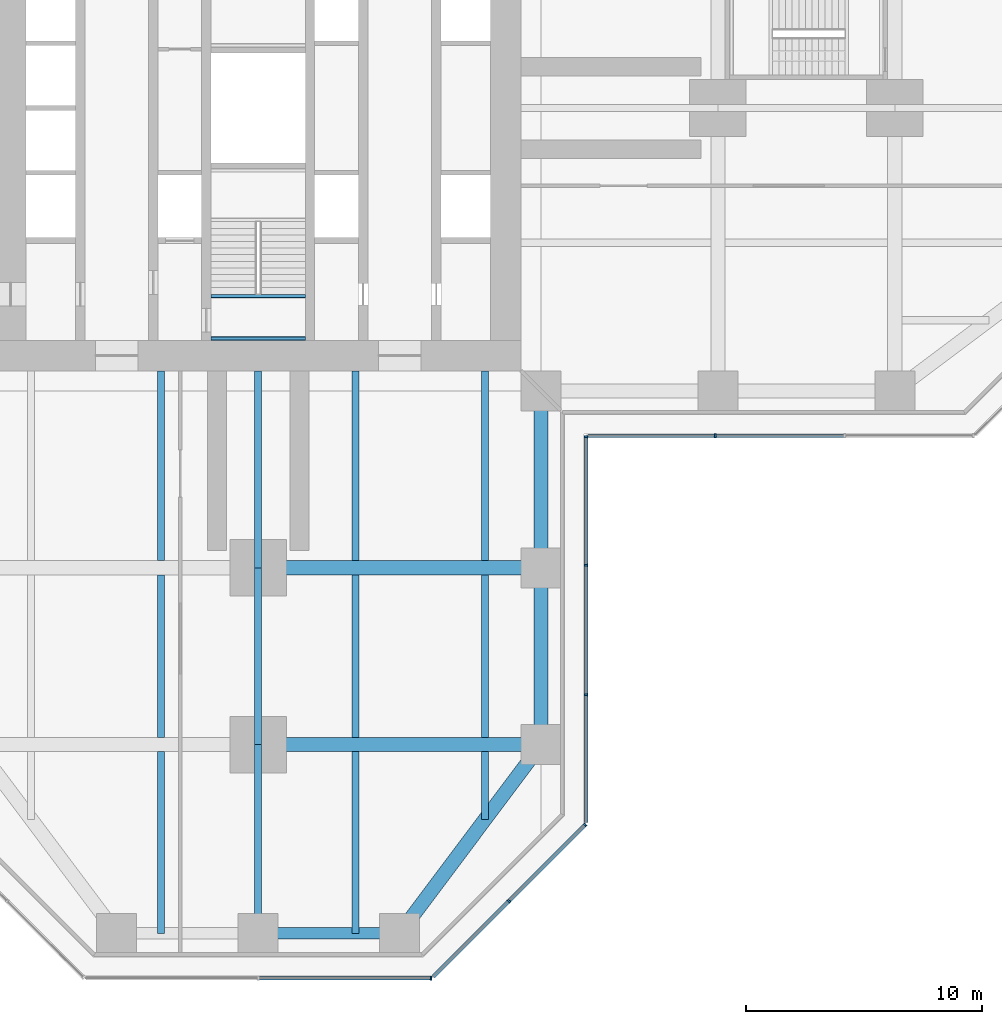
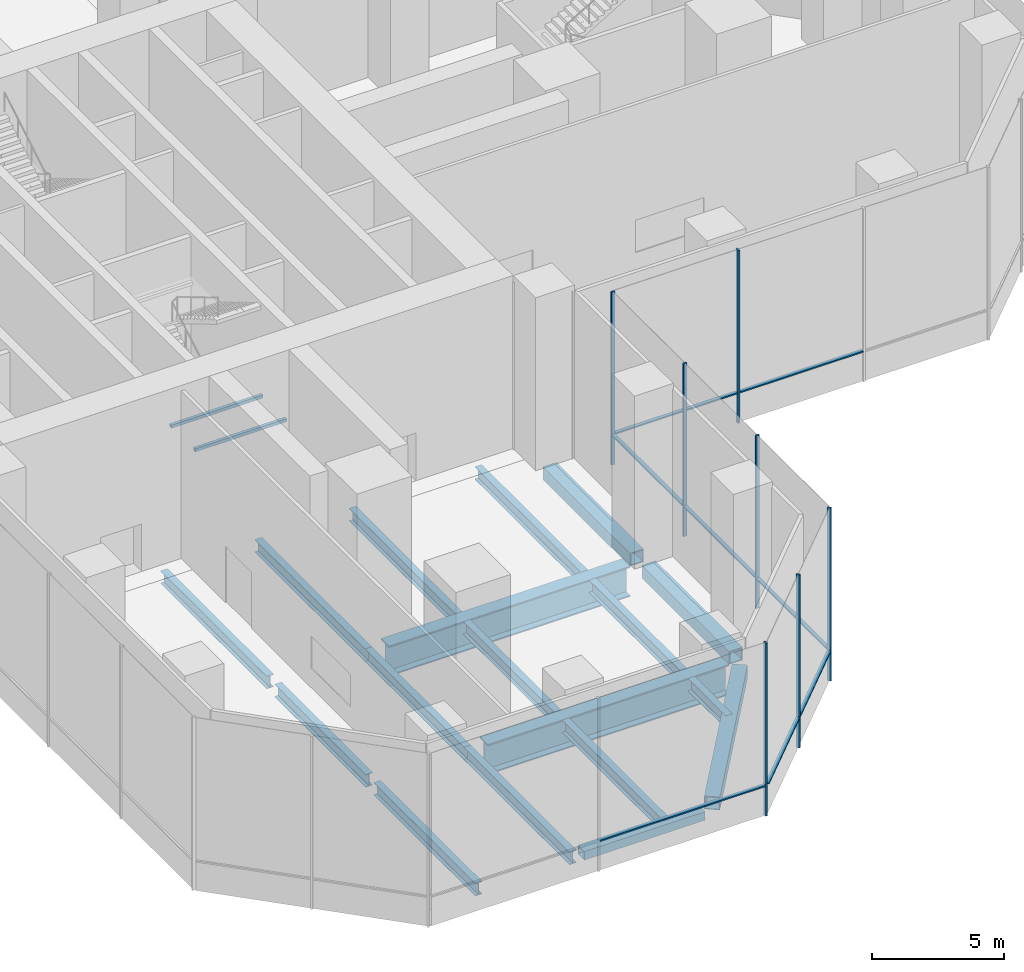
# One storey, part 5 of 25: 20 beams, 15 members, 4 elements without a shape of their own.
"""IFC4 building model written with IfcOpenShell, lengths in metres."""

from ifc_helpers import new_model, si_unit, direction, frame, origin, origin_2d, place, context, subcontext, project, spatial, rectangle, hollow_rectangle, i_section, extrude, material, material_profile, profile_set, type_object, element, aggregate, save


model = new_model("IFC4")

# Units and contexts
model_context = context("Model", 3, precision=1e-05, world=origin(), true_north=direction((0.0, 1.0)))
body_context = subcontext(model_context, "Body", "Model", "MODEL_VIEW")
ifc_project = project(units=[si_unit("LENGTHUNIT", "METRE"), si_unit("AREAUNIT", "SQUARE_METRE"), si_unit("VOLUMEUNIT", "CUBIC_METRE"), si_unit("PLANEANGLEUNIT", "RADIAN"), si_unit("MASSUNIT", "GRAM", prefix="KILO")], contexts=[model_context])

# Site, building, storey
site_placement = place(None, origin())
site = spatial("IfcSite", under=ifc_project, at=site_placement, CompositionType="ELEMENT")
building_placement = place(site_placement, origin())
building = spatial("IfcBuilding", under=site, at=building_placement, Name="Mizan Broadcast Tower", CompositionType="ELEMENT")
storey_placement = place(building_placement, frame((0.0, 0.0, 7.0)))
storey = spatial("IfcBuildingStorey", under=building, at=storey_placement, Name="L01", CompositionType="ELEMENT", Elevation=7.0)

# Beams
ifc_material_1 = material(Name="Steel S355", Category="steel")
ifc_material_profile_1 = material_profile(ifc_material_1, hollow_rectangle(XDim=0.5, YDim=0.39990234375, WallThickness=0.02490234375, at=origin_2d()), Name="BOX 400x500x25")
ifc_profile_set_1 = profile_set([ifc_material_profile_1], Name="Steel S355")
beam_type_1 = type_object("IfcBeamType", Name="EDGE BEAM BOX 400x500x25", PredefinedType="SPANDREL", material=ifc_profile_set_1)
beam_1_placement = place(storey_placement, frame((5.639892578125, -35.0, -0.449951171875), z_axis=(-1.0, 0.0, 0.0), x_axis=(0.0, -1.0, 0.0)))
element("IfcBeam", 1, at=beam_1_placement, inside=storey, type_object=beam_type_1, Name="Edge beam BOX 400x500x25 L01 south arm", PredefinedType="SPANDREL", context=body_context, shape_type="SweptSolid", body=[
    extrude(hollow_rectangle(XDim=0.5, YDim=0.39990234375, WallThickness=0.02490234375, at=origin_2d()), origin(), (0.0, 0.0, 1.0), 5.27978515625),
])
ifc_material_2 = material(Name="Steel S355", Category="steel")
ifc_material_profile_2 = material_profile(ifc_material_2, hollow_rectangle(XDim=0.60009765625, YDim=0.60009765625, WallThickness=0.030029296875, at=origin_2d()), Name="BOX 600x600x30")
ifc_profile_set_2 = profile_set([ifc_material_profile_2], Name="Steel S355")
beam_type_2 = type_object("IfcBeamType", Name="EDGE BEAM BOX 600x600x30", PredefinedType="SPANDREL", material=ifc_profile_set_2)
beam_2_placement = place(storey_placement, frame((11.639892578125, -27.47998046875, -0.550048828125), z_axis=(-0.599982243973, -0.800013316712, 0.0), x_axis=(0.800013316712, -0.599982243973, 0.0)))
element("IfcBeam", 2, at=beam_2_placement, inside=storey, type_object=beam_type_2, Name="Edge beam BOX 600x600x30 L01 south arm", PredefinedType="SPANDREL", context=body_context, shape_type="SweptSolid", body=[
    extrude(hollow_rectangle(XDim=0.60009765625, YDim=0.60009765625, WallThickness=0.030029296875, at=origin_2d()), origin(), (0.0, 0.0, 1.0), 8.7998046875),
])
ifc_material_3 = material(Name="Steel S355", Category="steel")
ifc_material_profile_3 = material_profile(ifc_material_3, hollow_rectangle(XDim=0.60009765625, YDim=0.60009765625, WallThickness=0.0400390625, at=origin_2d()), Name="BOX 600x600x40")
ifc_profile_set_3 = profile_set([ifc_material_profile_3], Name="Steel S355")
beam_type_3 = type_object("IfcBeamType", Name="EDGE BEAM BOX 600x600x40", PredefinedType="SPANDREL", material=ifc_profile_set_3)
for number, where, z_axis, x_axis, name in (
    (3, (12.0, -12.449951171875, -0.550048828125), (0.0, -1.0, 0.0), (1.0, 0.0, 0.0), "Edge beam BOX 600x600x40 L01 south arm"),
    (4, (12.0, -19.949951171875, -0.550048828125), (0.0, -1.0, 0.0), (1.0, 0.0, 0.0), "Edge beam BOX 600x600x40 L01 south arm"),
):
    element("IfcBeam", number, at=place(storey_placement, frame(where, z_axis=z_axis, x_axis=x_axis)), inside=storey, type_object=beam_type_3, Name=name, PredefinedType="SPANDREL", context=body_context, shape_type="SweptSolid", body=[
        extrude(hollow_rectangle(XDim=0.60009765625, YDim=0.60009765625, WallThickness=0.0400390625, at=origin_2d()), origin(), (0.0, 0.0, 1.0), 6.60009765625),
    ])
ifc_material_4 = material(Name="Steel S460", Category="steel")
ifc_material_profile_4 = material_profile(ifc_material_4, i_section(OverallWidth=0.60009765625, OverallDepth=1.39990234375, WebThickness=0.02490234375, FlangeThickness=0.06005859375, at=origin_2d()), Name="WPG 1400x600")
ifc_profile_set_4 = profile_set([ifc_material_profile_4], Name="Steel S460")
beam_type_4 = type_object("IfcBeamType", Name="GIRDER WPG 1400x600", PredefinedType="BEAM", material=ifc_profile_set_4)
for number, where, z_axis, x_axis, name in (
    (5, (0.719970703125, -19.5, -0.949951171875), (1.0, 0.0, 0.0), (0.0, 1.0, 0.0), "Girder WPG 1400x600 L01 south arm"),
    (6, (0.719970703125, -27.0, -0.949951171875), (1.0, 0.0, 0.0), (0.0, 1.0, 0.0), "Girder WPG 1400x600 L01 south arm"),
):
    element("IfcBeam", number, at=place(storey_placement, frame(where, z_axis=z_axis, x_axis=x_axis)), inside=storey, type_object=beam_type_4, Name=name, PredefinedType="BEAM", context=body_context, shape_type="SweptSolid", body=[
        extrude(i_section(OverallWidth=0.60009765625, OverallDepth=1.39990234375, WebThickness=0.02490234375, FlangeThickness=0.06005859375, at=origin_2d()), origin(), (0.0, 0.0, 1.0), 10.56005859375),
    ])
ifc_material_5 = material(Name="Steel S355", Category="steel")
ifc_material_profile_5 = material_profile(ifc_material_5, hollow_rectangle(XDim=0.14990234375, YDim=0.14990234375, WallThickness=0.008056640625, InnerFilletRadius=0.008056640625, OuterFilletRadius=0.011962890625, at=origin_2d()), Name="SHS 150x150x8")
ifc_profile_set_5 = profile_set([ifc_material_profile_5], Name="Steel S355")
beam_type_5 = type_object("IfcBeamType", Name="LANDING TRIMMER SHS 150x150x8", PredefinedType="BEAM", material=ifc_profile_set_5)
for number, where, z_axis, x_axis, name in (
    (7, (-2.0, -9.77490234375, 3.72509765625), (1.0, 0.0, 0.0), (0.0, 1.0, 0.0), "Stair A landing trimmer L01"),
    (8, (-2.0, -7.97509765625, 3.72509765625), (1.0, 0.0, 0.0), (0.0, 1.0, 0.0), "Stair A landing trimmer L01"),
):
    element("IfcBeam", number, at=place(storey_placement, frame(where, z_axis=z_axis, x_axis=x_axis)), inside=storey, type_object=beam_type_5, Name=name, PredefinedType="BEAM", context=body_context, shape_type="SweptSolid", body=[
        extrude(hollow_rectangle(XDim=0.14990234375, YDim=0.14990234375, WallThickness=0.008056640625, InnerFilletRadius=0.008056640625, OuterFilletRadius=0.011962890625, at=origin_2d()), origin(), (0.0, 0.0, 1.0), 4.0),
    ])

# Curtain wall, member
ifc_material_6 = material(Name="Aluminium framed glazing", Category="aluminium")
curtain_wall_type = type_object("IfcCurtainWallType", Name="OUTER SKIN", PredefinedType="USERDEFINED", material=ifc_material_6)
curtain_wall_1_placement = place(storey_placement, origin())
curtain_wall_1 = element("IfcCurtainWall", 9, at=curtain_wall_1_placement, inside=storey, type_object=curtain_wall_type, Name="Outer skin L01 E side", ObjectType="OUTER SKIN", PredefinedType="USERDEFINED")
ifc_material_7 = material(Name="Aluminium, pale anodised", Category="aluminium")
ifc_material_profile_6 = material_profile(ifc_material_7, rectangle(XDim=0.159912109375, YDim=0.080078125, at=origin_2d()), Name="MULLION 160x80")
ifc_profile_set_6 = profile_set([ifc_material_profile_6], Name="Aluminium, pale anodised")
member_type_1 = type_object("IfcMemberType", Name="OUTER SKIN MULLION 80x160", PredefinedType="MULLION", material=ifc_profile_set_6)
member_1_placement = place(storey_placement, frame((19.390869140625, -13.89990234375, 0.0), z_axis=(0.0, 0.0, 1.0), x_axis=(0.0, 1.0, 0.0)))
member_1 = element("IfcMember", 10, at=member_1_placement, type_object=member_type_1, Name="Outer skin L01 E side mullion 2", PredefinedType="MULLION", context=body_context, shape_type="SweptSolid", body=[
    extrude(rectangle(XDim=0.159912109375, YDim=0.080078125, at=origin_2d()), origin(), (0.0, 0.0, 1.0), 8.0),
])

curtain_wall_2_placement = place(storey_placement, origin())
curtain_wall_2 = element("IfcCurtainWall", 11, at=curtain_wall_2_placement, inside=storey, type_object=curtain_wall_type, Name="Outer skin L01 S end", ObjectType="OUTER SKIN", PredefinedType="USERDEFINED")
member_2_placement = place(storey_placement, frame((7.332763671875, -36.89990234375, 0.0), z_axis=(0.0, 0.0, 1.0), x_axis=(0.0, 1.0, 0.0)))
member_2 = element("IfcMember", 12, at=member_2_placement, type_object=member_type_1, Name="Outer skin L01 S end mullion 3", PredefinedType="MULLION", context=body_context, shape_type="SweptSolid", body=[
    extrude(rectangle(XDim=0.159912109375, YDim=0.080078125, at=origin_2d()), origin(), (0.0, 0.0, 1.0), 8.0),
])

# Curtain wall, members
curtain_wall_3_placement = place(storey_placement, origin())
curtain_wall_3 = element("IfcCurtainWall", 13, at=curtain_wall_3_placement, inside=storey, type_object=curtain_wall_type, Name="Outer skin L01 S chamfer", ObjectType="OUTER SKIN", PredefinedType="USERDEFINED")
member_3_placement = place(storey_placement, frame((10.636474609375, -33.636474609375, 0.0), z_axis=(0.0, 0.0, 1.0), x_axis=(-0.707106781187, 0.707106781187, 0.0)))
member_3 = element("IfcMember", 14, at=member_3_placement, type_object=member_type_1, Name="Outer skin L01 S chamfer mullion 2", PredefinedType="MULLION", context=body_context, shape_type="SweptSolid", body=[
    extrude(rectangle(XDim=0.159912109375, YDim=0.080078125, at=origin_2d()), origin(), (0.0, 0.0, 1.0), 8.0),
])
member_4_placement = place(storey_placement, frame((13.871826171875, -30.401123046875, 0.0), z_axis=(0.0, 0.0, 1.0), x_axis=(-0.707106781187, 0.707106781187, 0.0)))
member_4 = element("IfcMember", 15, at=member_4_placement, type_object=member_type_1, Name="Outer skin L01 S chamfer mullion 3", PredefinedType="MULLION", context=body_context, shape_type="SweptSolid", body=[
    extrude(rectangle(XDim=0.159912109375, YDim=0.080078125, at=origin_2d()), origin(), (0.0, 0.0, 1.0), 8.0),
])

curtain_wall_4_placement = place(storey_placement, origin())
curtain_wall_4 = element("IfcCurtainWall", 16, at=curtain_wall_4_placement, inside=storey, type_object=curtain_wall_type, Name="Outer skin L01 S side", ObjectType="OUTER SKIN", PredefinedType="USERDEFINED")
member_5_placement = place(storey_placement, frame((13.89990234375, -24.8818359375, 0.0), z_axis=(0.0, 0.0, 1.0), x_axis=(-1.0, 0.0, 0.0)))
member_5 = element("IfcMember", 17, at=member_5_placement, type_object=member_type_1, Name="Outer skin L01 S side mullion 2", PredefinedType="MULLION", context=body_context, shape_type="SweptSolid", body=[
    extrude(rectangle(XDim=0.159912109375, YDim=0.080078125, at=origin_2d()), origin(), (0.0, 0.0, 1.0), 8.0),
])
member_6_placement = place(storey_placement, frame((13.89990234375, -19.390869140625, 0.0), z_axis=(0.0, 0.0, 1.0), x_axis=(-1.0, 0.0, 0.0)))
member_6 = element("IfcMember", 18, at=member_6_placement, type_object=member_type_1, Name="Outer skin L01 S side mullion 3", PredefinedType="MULLION", context=body_context, shape_type="SweptSolid", body=[
    extrude(rectangle(XDim=0.159912109375, YDim=0.080078125, at=origin_2d()), origin(), (0.0, 0.0, 1.0), 8.0),
])
member_7_placement = place(storey_placement, frame((13.89990234375, -13.93994140625, 0.0), z_axis=(0.0, 0.0, 1.0), x_axis=(-1.0, 0.0, 0.0)))
member_7 = element("IfcMember", 19, at=member_7_placement, type_object=member_type_1, Name="Outer skin L01 S side mullion 4", PredefinedType="MULLION", context=body_context, shape_type="SweptSolid", body=[
    extrude(rectangle(XDim=0.159912109375, YDim=0.080078125, at=origin_2d()), origin(), (0.0, 0.0, 1.0), 8.0),
])

# Member
ifc_material_8 = material(Name="Aluminium, pale anodised", Category="aluminium")
ifc_material_profile_7 = material_profile(ifc_material_8, rectangle(XDim=0.159912109375, YDim=0.06005859375, at=origin_2d()), Name="TRANSOM 160x60")
ifc_profile_set_7 = profile_set([ifc_material_profile_7], Name="Aluminium, pale anodised")
member_type_2 = type_object("IfcMemberType", Name="OUTER SKIN TRANSOM 60x160", PredefinedType="USERDEFINED", material=ifc_profile_set_7)
member_8_placement = place(storey_placement, frame((13.97998046875, -13.89990234375, 1.39990234375), z_axis=(1.0, 0.0, 0.0), x_axis=(0.0, 1.0, 0.0)))
member_8 = element("IfcMember", 20, at=member_8_placement, type_object=member_type_2, Name="Outer skin L01 E side transom 1.1", ObjectType="TRANSOM", PredefinedType="USERDEFINED", context=body_context, shape_type="SweptSolid", body=[
    extrude(rectangle(XDim=0.159912109375, YDim=0.06005859375, at=origin_2d()), origin(), (0.0, 0.0, 1.0), 5.370849609375),
])

member_9_placement = place(storey_placement, frame((19.430908203125, -13.89990234375, 1.39990234375), z_axis=(1.0, 0.0, 0.0), x_axis=(0.0, 1.0, 0.0)))
member_9 = element("IfcMember", 21, at=member_9_placement, type_object=member_type_2, Name="Outer skin L01 E side transom 2.1", ObjectType="TRANSOM", PredefinedType="USERDEFINED", context=body_context, shape_type="SweptSolid", body=[
    extrude(rectangle(XDim=0.159912109375, YDim=0.06005859375, at=origin_2d()), origin(), (0.0, 0.0, 1.0), 5.410888671875),
])

aggregate(curtain_wall_1, [member_1, member_8, member_9])

member_10_placement = place(storey_placement, frame((0.0400390625, -36.89990234375, 1.39990234375), z_axis=(1.0, 0.0, 0.0), x_axis=(0.0, 1.0, 0.0)))
member_10 = element("IfcMember", 22, at=member_10_placement, type_object=member_type_2, Name="Outer skin L01 S end transom 2.1", ObjectType="TRANSOM", PredefinedType="USERDEFINED", context=body_context, shape_type="SweptSolid", body=[
    extrude(rectangle(XDim=0.159912109375, YDim=0.06005859375, at=origin_2d()), origin(), (0.0, 0.0, 1.0), 7.252685546875),
])

aggregate(curtain_wall_2, [member_2, member_10])

member_11_placement = place(storey_placement, frame((7.429443359375, -36.843505859375, 1.39990234375), z_axis=(0.707106781187, 0.707106781187, 0.0), x_axis=(-0.707106781187, 0.707106781187, 0.0)))
member_11 = element("IfcMember", 23, at=member_11_placement, type_object=member_type_2, Name="Outer skin L01 S chamfer transom 1.1", ObjectType="TRANSOM", PredefinedType="USERDEFINED", context=body_context, shape_type="SweptSolid", body=[
    extrude(rectangle(XDim=0.159912109375, YDim=0.06005859375, at=origin_2d()), origin(), (0.0, 0.0, 1.0), 4.495361328125),
])

member_12_placement = place(storey_placement, frame((10.664794921875, -33.608154296875, 1.39990234375), z_axis=(0.707106781187, 0.707106781187, 0.0), x_axis=(-0.707106781187, 0.707106781187, 0.0)))
member_12 = element("IfcMember", 24, at=member_12_placement, type_object=member_type_2, Name="Outer skin L01 S chamfer transom 2.1", ObjectType="TRANSOM", PredefinedType="USERDEFINED", context=body_context, shape_type="SweptSolid", body=[
    extrude(rectangle(XDim=0.159912109375, YDim=0.06005859375, at=origin_2d()), origin(), (0.0, 0.0, 1.0), 4.495361328125),
])

aggregate(curtain_wall_3, [member_3, member_4, member_11, member_12])

member_13_placement = place(storey_placement, frame((13.89990234375, -30.292724609375, 1.39990234375), z_axis=(0.0, 1.0, 0.0), x_axis=(-1.0, 0.0, 0.0)))
member_13 = element("IfcMember", 25, at=member_13_placement, type_object=member_type_2, Name="Outer skin L01 S side transom 1.1", ObjectType="TRANSOM", PredefinedType="USERDEFINED", context=body_context, shape_type="SweptSolid", body=[
    extrude(rectangle(XDim=0.159912109375, YDim=0.06005859375, at=origin_2d()), origin(), (0.0, 0.0, 1.0), 5.370849609375),
])

member_14_placement = place(storey_placement, frame((13.89990234375, -24.841796875, 1.39990234375), z_axis=(0.0, 1.0, 0.0), x_axis=(-1.0, 0.0, 0.0)))
member_14 = element("IfcMember", 26, at=member_14_placement, type_object=member_type_2, Name="Outer skin L01 S side transom 2.1", ObjectType="TRANSOM", PredefinedType="USERDEFINED", context=body_context, shape_type="SweptSolid", body=[
    extrude(rectangle(XDim=0.159912109375, YDim=0.06005859375, at=origin_2d()), origin(), (0.0, 0.0, 1.0), 5.410888671875),
])

member_15_placement = place(storey_placement, frame((13.89990234375, -19.350830078125, 1.39990234375), z_axis=(0.0, 1.0, 0.0), x_axis=(-1.0, 0.0, 0.0)))
member_15 = element("IfcMember", 27, at=member_15_placement, type_object=member_type_2, Name="Outer skin L01 S side transom 3.1", ObjectType="TRANSOM", PredefinedType="USERDEFINED", context=body_context, shape_type="SweptSolid", body=[
    extrude(rectangle(XDim=0.159912109375, YDim=0.06005859375, at=origin_2d()), origin(), (0.0, 0.0, 1.0), 5.370849609375),
])

aggregate(curtain_wall_4, [member_5, member_6, member_7, member_13, member_14, member_15])

# Beams
ifc_material_9 = material(Name="Steel S355", Category="steel")
ifc_material_profile_8 = material_profile(ifc_material_9, i_section(OverallWidth=0.300048828125, OverallDepth=0.590087890625, WebThickness=0.012939453125, FlangeThickness=0.02490234375, FilletRadius=0.027099609375, at=origin_2d()), Name="HEA 600")
ifc_profile_set_8 = profile_set([ifc_material_profile_8], Name="Steel S355")
beam_type_6 = type_object("IfcBeamType", Name="SECONDARY BEAM HEA 600", PredefinedType="JOIST", material=ifc_profile_set_8)
beam_3_placement = place(storey_placement, frame((-4.125, -11.14990234375, -0.544921875), z_axis=(0.0, -1.0, 0.0), x_axis=(1.0, 0.0, 0.0)))
element("IfcBeam", 28, at=beam_3_placement, inside=storey, type_object=beam_type_6, Name="Secondary beam HEA 600 L01 south arm", PredefinedType="JOIST", context=body_context, shape_type="SweptSolid", body=[
    extrude(i_section(OverallWidth=0.300048828125, OverallDepth=0.590087890625, WebThickness=0.012939453125, FlangeThickness=0.02490234375, FilletRadius=0.027099609375, at=origin_2d()), origin(), (0.0, 0.0, 1.0), 8.050048828125),
])
beam_4_placement = place(storey_placement, frame((-4.125, -19.800048828125, -0.544921875), z_axis=(0.0, -1.0, 0.0), x_axis=(1.0, 0.0, 0.0)))
element("IfcBeam", 29, at=beam_4_placement, inside=storey, type_object=beam_type_6, Name="Secondary beam HEA 600 L01 south arm", PredefinedType="JOIST", context=body_context, shape_type="SweptSolid", body=[
    extrude(i_section(OverallWidth=0.300048828125, OverallDepth=0.590087890625, WebThickness=0.012939453125, FlangeThickness=0.02490234375, FilletRadius=0.027099609375, at=origin_2d()), origin(), (0.0, 0.0, 1.0), 6.89990234375),
])
beam_5_placement = place(storey_placement, frame((-4.125, -27.300048828125, -0.544921875), z_axis=(0.0, -1.0, 0.0), x_axis=(1.0, 0.0, 0.0)))
element("IfcBeam", 30, at=beam_5_placement, inside=storey, type_object=beam_type_6, Name="Secondary beam HEA 600 L01 south arm", PredefinedType="JOIST", context=body_context, shape_type="SweptSolid", body=[
    extrude(i_section(OverallWidth=0.300048828125, OverallDepth=0.590087890625, WebThickness=0.012939453125, FlangeThickness=0.02490234375, FilletRadius=0.027099609375, at=origin_2d()), origin(), (0.0, 0.0, 1.0), 7.699951171875),
])
beam_6_placement = place(storey_placement, frame((0.0, -11.14990234375, -0.544921875), z_axis=(0.0, -1.0, 0.0), x_axis=(1.0, 0.0, 0.0)))
element("IfcBeam", 31, at=beam_6_placement, inside=storey, type_object=beam_type_6, Name="Secondary beam HEA 600 L01 south arm", PredefinedType="JOIST", context=body_context, shape_type="SweptSolid", body=[
    extrude(i_section(OverallWidth=0.300048828125, OverallDepth=0.590087890625, WebThickness=0.012939453125, FlangeThickness=0.02490234375, FilletRadius=0.027099609375, at=origin_2d()), origin(), (0.0, 0.0, 1.0), 8.35009765625),
])
beam_7_placement = place(storey_placement, frame((0.0, -19.5, -0.544921875), z_axis=(0.0, -1.0, 0.0), x_axis=(1.0, 0.0, 0.0)))
element("IfcBeam", 32, at=beam_7_placement, inside=storey, type_object=beam_type_6, Name="Secondary beam HEA 600 L01 south arm", PredefinedType="JOIST", context=body_context, shape_type="SweptSolid", body=[
    extrude(i_section(OverallWidth=0.300048828125, OverallDepth=0.590087890625, WebThickness=0.012939453125, FlangeThickness=0.02490234375, FilletRadius=0.027099609375, at=origin_2d()), origin(), (0.0, 0.0, 1.0), 7.5),
])
beam_8_placement = place(storey_placement, frame((0.0, -27.0, -0.544921875), z_axis=(0.0, -1.0, 0.0), x_axis=(1.0, 0.0, 0.0)))
element("IfcBeam", 33, at=beam_8_placement, inside=storey, type_object=beam_type_6, Name="Secondary beam HEA 600 L01 south arm", PredefinedType="JOIST", context=body_context, shape_type="SweptSolid", body=[
    extrude(i_section(OverallWidth=0.300048828125, OverallDepth=0.590087890625, WebThickness=0.012939453125, FlangeThickness=0.02490234375, FilletRadius=0.027099609375, at=origin_2d()), origin(), (0.0, 0.0, 1.0), 8.0),
])
beam_9_placement = place(storey_placement, frame((4.125, -11.14990234375, -0.544921875), z_axis=(0.0, -1.0, 0.0), x_axis=(1.0, 0.0, 0.0)))
element("IfcBeam", 34, at=beam_9_placement, inside=storey, type_object=beam_type_6, Name="Secondary beam HEA 600 L01 south arm", PredefinedType="JOIST", context=body_context, shape_type="SweptSolid", body=[
    extrude(i_section(OverallWidth=0.300048828125, OverallDepth=0.590087890625, WebThickness=0.012939453125, FlangeThickness=0.02490234375, FilletRadius=0.027099609375, at=origin_2d()), origin(), (0.0, 0.0, 1.0), 8.050048828125),
])
beam_10_placement = place(storey_placement, frame((4.125, -19.800048828125, -0.544921875), z_axis=(0.0, -1.0, 0.0), x_axis=(1.0, 0.0, 0.0)))
element("IfcBeam", 35, at=beam_10_placement, inside=storey, type_object=beam_type_6, Name="Secondary beam HEA 600 L01 south arm", PredefinedType="JOIST", context=body_context, shape_type="SweptSolid", body=[
    extrude(i_section(OverallWidth=0.300048828125, OverallDepth=0.590087890625, WebThickness=0.012939453125, FlangeThickness=0.02490234375, FilletRadius=0.027099609375, at=origin_2d()), origin(), (0.0, 0.0, 1.0), 6.89990234375),
])
beam_11_placement = place(storey_placement, frame((4.125, -27.300048828125, -0.544921875), z_axis=(0.0, -1.0, 0.0), x_axis=(1.0, 0.0, 0.0)))
element("IfcBeam", 36, at=beam_11_placement, inside=storey, type_object=beam_type_6, Name="Secondary beam HEA 600 L01 south arm", PredefinedType="JOIST", context=body_context, shape_type="SweptSolid", body=[
    extrude(i_section(OverallWidth=0.300048828125, OverallDepth=0.590087890625, WebThickness=0.012939453125, FlangeThickness=0.02490234375, FilletRadius=0.027099609375, at=origin_2d()), origin(), (0.0, 0.0, 1.0), 7.699951171875),
])
beam_12_placement = place(storey_placement, frame((9.625, -11.14990234375, -0.544921875), z_axis=(0.0, -1.0, 0.0), x_axis=(1.0, 0.0, 0.0)))
element("IfcBeam", 37, at=beam_12_placement, inside=storey, type_object=beam_type_6, Name="Secondary beam HEA 600 L01 south arm", PredefinedType="JOIST", context=body_context, shape_type="SweptSolid", body=[
    extrude(i_section(OverallWidth=0.300048828125, OverallDepth=0.590087890625, WebThickness=0.012939453125, FlangeThickness=0.02490234375, FilletRadius=0.027099609375, at=origin_2d()), origin(), (0.0, 0.0, 1.0), 8.050048828125),
])
beam_13_placement = place(storey_placement, frame((9.625, -19.800048828125, -0.544921875), z_axis=(0.0, -1.0, 0.0), x_axis=(1.0, 0.0, 0.0)))
element("IfcBeam", 38, at=beam_13_placement, inside=storey, type_object=beam_type_6, Name="Secondary beam HEA 600 L01 south arm", PredefinedType="JOIST", context=body_context, shape_type="SweptSolid", body=[
    extrude(i_section(OverallWidth=0.300048828125, OverallDepth=0.590087890625, WebThickness=0.012939453125, FlangeThickness=0.02490234375, FilletRadius=0.027099609375, at=origin_2d()), origin(), (0.0, 0.0, 1.0), 6.89990234375),
])
beam_14_placement = place(storey_placement, frame((9.625, -27.300048828125, -0.544921875), z_axis=(0.0, -1.0, 0.0), x_axis=(1.0, 0.0, 0.0)))
element("IfcBeam", 39, at=beam_14_placement, inside=storey, type_object=beam_type_6, Name="Secondary beam HEA 600 L01 south arm", PredefinedType="JOIST", context=body_context, shape_type="SweptSolid", body=[
    extrude(i_section(OverallWidth=0.300048828125, OverallDepth=0.590087890625, WebThickness=0.012939453125, FlangeThickness=0.02490234375, FilletRadius=0.027099609375, at=origin_2d()), origin(), (0.0, 0.0, 1.0), 2.86669921875),
])

save(model, "model.ifc")
